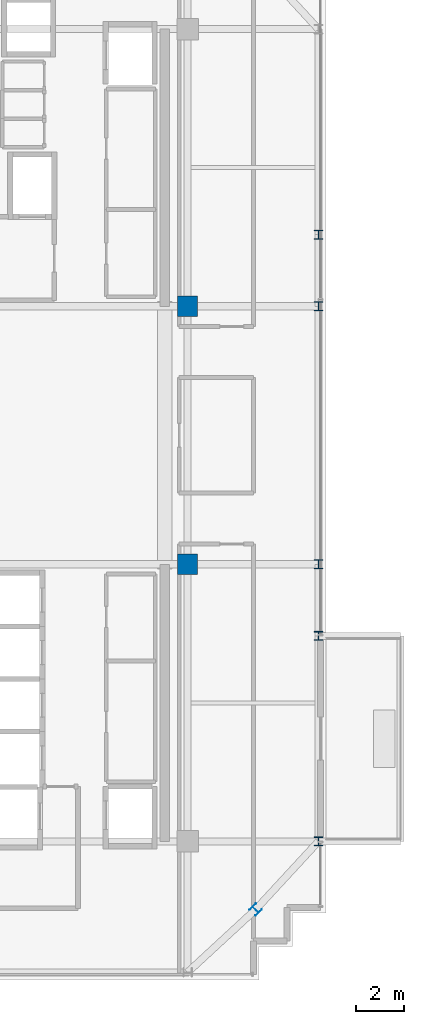
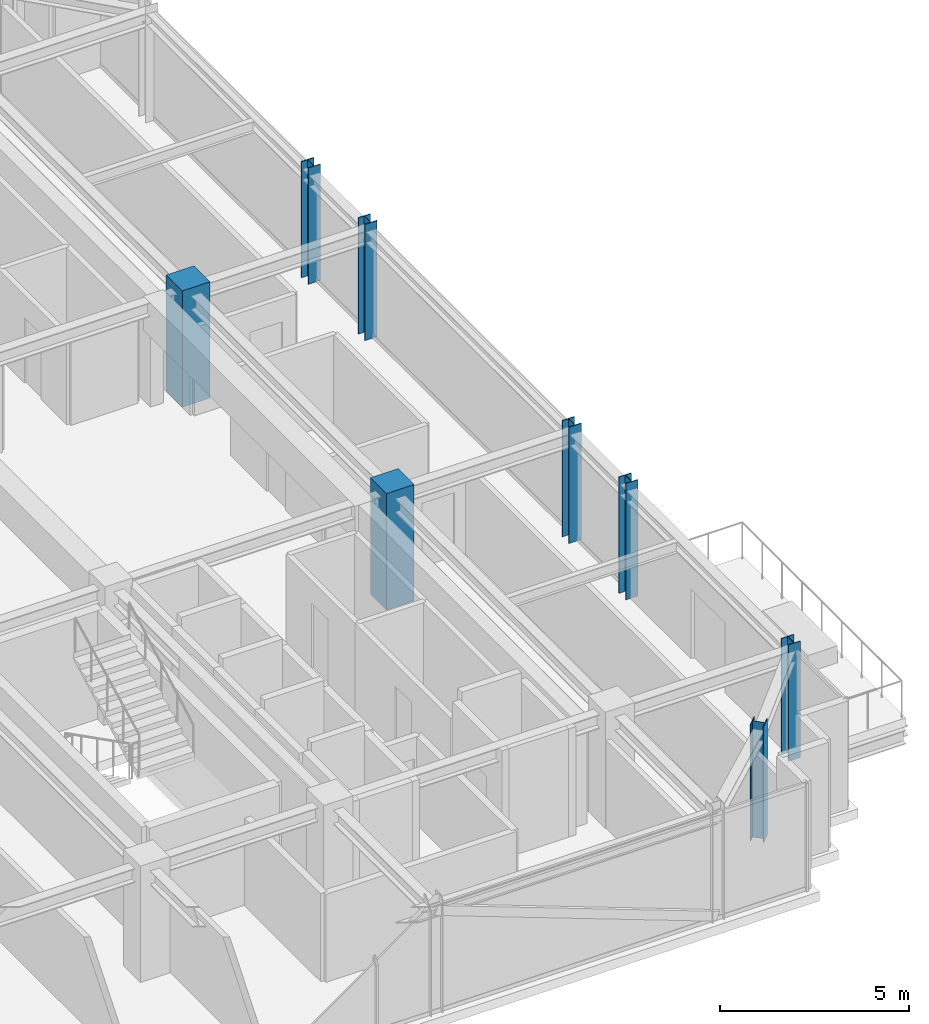
# One storey, part 2 of 31: 8 columns.
"""IFC4 building model written with IfcOpenShell, lengths in metres."""

from ifc_helpers import new_model, si_unit, direction, frame, origin, origin_2d, place, context, subcontext, project, spatial, rectangle, i_section, extrude, source, transform, mapped, material, material_profile, profile_set, type_object, element, save


model = new_model("IFC4")

# Units and contexts
model_context = context("Model", 3, precision=1e-05, world=origin(), true_north=direction((0.0, 1.0)))
body_context = subcontext(model_context, "Body", "Model", "MODEL_VIEW")
ifc_project = project(units=[si_unit("LENGTHUNIT", "METRE"), si_unit("AREAUNIT", "SQUARE_METRE"), si_unit("VOLUMEUNIT", "CUBIC_METRE"), si_unit("PLANEANGLEUNIT", "RADIAN"), si_unit("MASSUNIT", "GRAM", prefix="KILO")], contexts=[model_context])

# Site, building, storey
site_placement = place(None, origin())
site = spatial("IfcSite", under=ifc_project, at=site_placement, CompositionType="ELEMENT")
building_placement = place(site_placement, origin())
building = spatial("IfcBuilding", under=site, at=building_placement, Name="Nahalor Promenade Grand Hotel", CompositionType="ELEMENT")
storey_placement = place(building_placement, frame((0.0, 0.0, 327.14990234375)))
storey = spatial("IfcBuildingStorey", under=building, at=storey_placement, Name="L84", CompositionType="ELEMENT", Elevation=327.14990234375)

# Columns
ifc_material_1 = material(Name="Concrete B-70 (C60/75)", Category="concrete")
ifc_material_profile_1 = material_profile(ifc_material_1, rectangle(XDim=0.85, YDim=0.85, at=origin_2d()), Name="RC 850x850")
ifc_profile_set_1 = profile_set([ifc_material_profile_1], Name="Concrete B-70 (C60/75)")
column_type_1 = type_object("IfcColumnType", Name="Col-Pilaster-850", PredefinedType="PILASTER", material=ifc_profile_set_1)
shared_shape_1 = source(origin(), body_context, "Body", "SweptSolid", [
    extrude(rectangle(XDim=0.85, YDim=0.85, at=origin_2d()), origin(), (0.0, 0.0, 1.0), 3.755126953125),
])
for number, where, z_axis, x_axis, name in (
    (1, (17.0, -5.39990234375, 0.0), (0.0, 0.0, 1.0), (1.0, 0.0, 0.0), "COL-L84-I51"),
    (2, (17.0, 5.39990234375, 0.0), (0.0, 0.0, 1.0), (1.0, 0.0, 0.0), "COL-L84-I52"),
):
    element("IfcColumn", number, at=place(storey_placement, frame(where, z_axis=z_axis, x_axis=x_axis)), inside=storey, type_object=column_type_1, Name=name, PredefinedType="PILASTER", context=body_context, shape_type="MappedRepresentation", body=[
        mapped(shared_shape_1, transform((0.0, 0.0, 0.0), scale=1.0)),
    ])
ifc_material_2 = material(Name="Steel S355JR", Category="steel")
ifc_material_profile_2 = material_profile(ifc_material_2, i_section(OverallWidth=0.374, OverallDepth=0.374, WebThickness=0.0144, FlangeThickness=0.0229, at=origin_2d()), Name="HD 360x262")
ifc_profile_set_2 = profile_set([ifc_material_profile_2], Name="Steel S355JR")
column_type_2 = type_object("IfcColumnType", Name="Col-Steel-HD262", PredefinedType="COLUMN", material=ifc_profile_set_2)
shared_shape_2 = source(origin(), body_context, "Body", "SweptSolid", [
    extrude(i_section(OverallWidth=0.374, OverallDepth=0.374, WebThickness=0.0144, FlangeThickness=0.0229, at=origin_2d()), origin(), (0.0, 0.0, 1.0), 3.755126953125),
])
for number, where, z_axis, x_axis, name in (
    (3, (22.47998046875, -17.0, 0.0), (0.0, 0.0, 1.0), (1.0, 0.0, 0.0), "COL-L84-PW-E0"),
    (4, (22.47998046875, -8.39990234375, 0.0), (0.0, 0.0, 1.0), (1.0, 0.0, 0.0), "COL-L84-PW-E1"),
    (5, (22.47998046875, -5.39990234375, 0.0), (0.0, 0.0, 1.0), (1.0, 0.0, 0.0), "COL-L84-PW-E2"),
    (6, (22.47998046875, 5.39990234375, 0.0), (0.0, 0.0, 1.0), (1.0, 0.0, 0.0), "COL-L84-PW-E3"),
    (7, (22.47998046875, 8.39990234375, 0.0), (0.0, 0.0, 1.0), (1.0, 0.0, 0.0), "COL-L84-PW-E4"),
    (8, (19.85009765625, -19.85009765625, 0.0), (0.0, 0.0, 1.0), (0.707106781187, 0.707106781187, 0.0), "COL-L84-CRN-SE"),
):
    element("IfcColumn", number, at=place(storey_placement, frame(where, z_axis=z_axis, x_axis=x_axis)), inside=storey, type_object=column_type_2, Name=name, PredefinedType="COLUMN", context=body_context, shape_type="MappedRepresentation", body=[
        mapped(shared_shape_2, transform((0.0, 0.0, 0.0), scale=1.0)),
    ])

save(model, "model.ifc")
